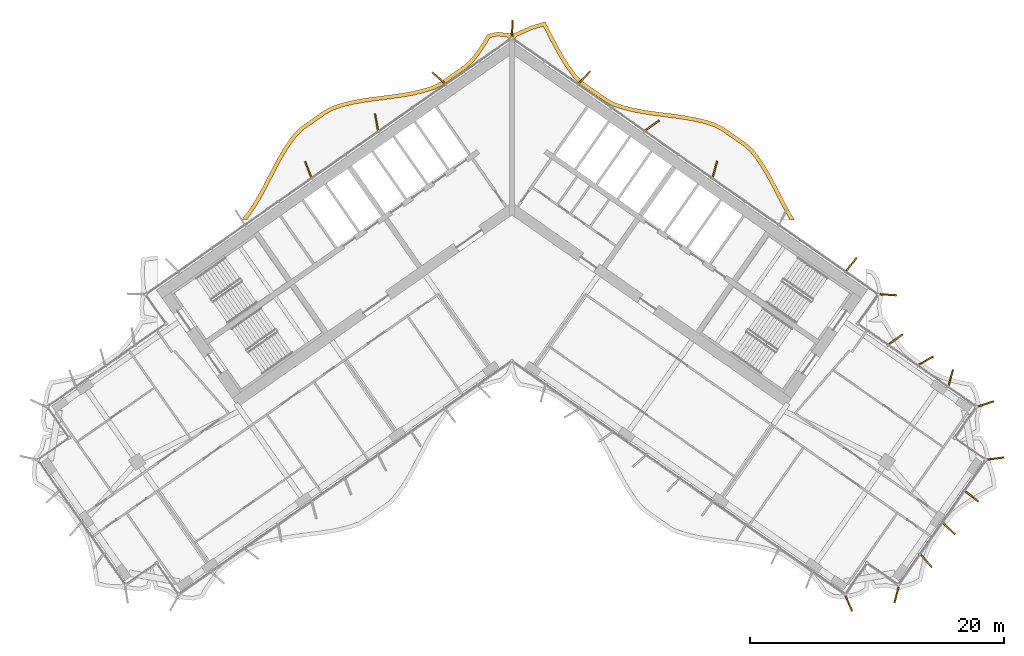
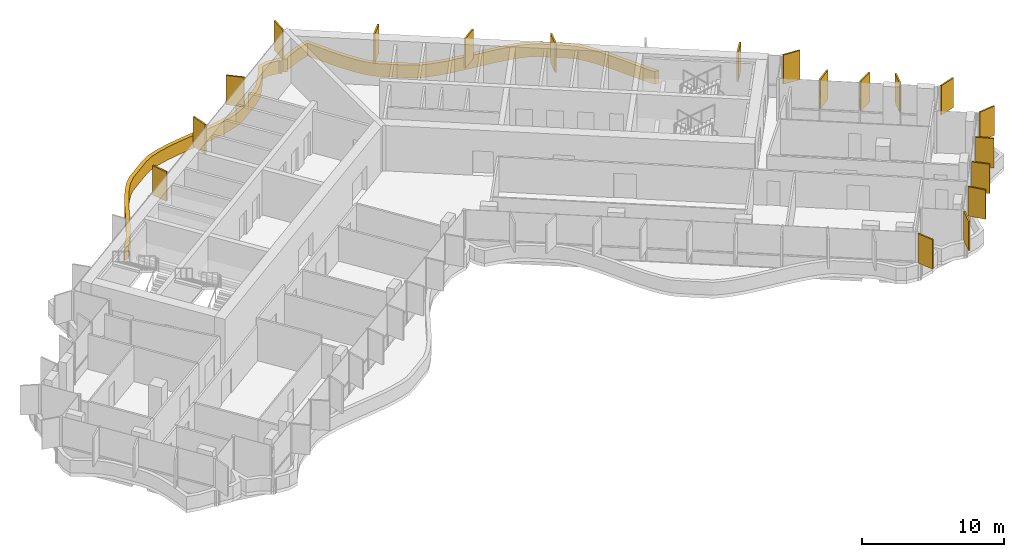
# One storey, part 23 of 23: 20 shading devices.
"""IFC4 building model written with IfcOpenShell, lengths in metres."""

from ifc_helpers import new_model, si_unit, direction, frame, origin, origin_2d, place, context, subcontext, project, spatial, polyline, rectangle, outline, extrude, material, layer, layer_set, type_object, element, save


model = new_model("IFC4")

# Units and contexts
model_context = context("Model", 3, precision=1e-05, world=origin(), true_north=direction((0.0, 1.0)))
body_context = subcontext(model_context, "Body", "Model", "MODEL_VIEW")
ifc_project = project(units=[si_unit("LENGTHUNIT", "METRE"), si_unit("AREAUNIT", "SQUARE_METRE"), si_unit("VOLUMEUNIT", "CUBIC_METRE"), si_unit("PLANEANGLEUNIT", "RADIAN"), si_unit("MASSUNIT", "GRAM", prefix="KILO")], contexts=[model_context])

# Site, building, storey
site_placement = place(None, origin())
site = spatial("IfcSite", under=ifc_project, at=site_placement, CompositionType="ELEMENT")
building_placement = place(site_placement, origin())
building = spatial("IfcBuilding", under=site, at=building_placement, Name="Tel Ilan Convention Tower", CompositionType="ELEMENT")
storey_placement = place(building_placement, frame((0.0, 0.0, 182.699951171875)))
storey = spatial("IfcBuildingStorey", under=building, at=storey_placement, Name="L42", CompositionType="ELEMENT", Elevation=182.699951171875)

# Shading devices
ifc_material_1 = material(Name="Aluminium, bronze anodised", Category="aluminium")
ifc_layer_1 = layer(ifc_material_1, 0.1201171875)
ifc_layer_set_1 = layer_set([ifc_layer_1], Name="FIN BRONZE 1300x120")
shading_device_type_1 = type_object("IfcShadingDeviceType", Name="FIN BRONZE 1300x120", PredefinedType="USERDEFINED", material=ifc_layer_set_1)
for number, where, z_axis, x_axis, name in (
    (1, (29.62109375, -7.500732421875, 1.10009765625), (0.0, 0.0, 1.0), (0.997697449973, -0.067821812994, 0.0), "FIN"),
    (2, (26.725830078125, -5.099853515625, 1.10009765625), (0.0, 0.0, 1.0), (0.612600545196, 0.790392669516, 0.0), "FIN"),
    (3, (15.981201171875, 2.39990234375, 1.10009765625), (0.0, 0.0, 1.0), (0.268172612768, 0.963370878614, 0.0), "FIN"),
    (4, (11.070556640625, 5.838623046875, 1.10009765625), (0.0, 0.0, 1.0), (0.813552070258, 0.581492071294, 0.0), "FIN"),
    (5, (5.716064453125, 9.61083984375, 1.10009765625), (0.0, 0.0, 1.0), (0.686241637865, 0.727373641577, 0.0), "FIN"),
    (6, (0.031494140625, 13.4697265625, 1.10009765625), (0.0, 0.0, 1.0), (0.048462378231, 0.998825008646, 0.0), "FIN"),
    (7, (-5.762939453125, 9.570068359375, 1.10009765625), (0.0, 0.0, 1.0), (-0.753435896329, 0.657521368568, 0.0), "FIN"),
    (8, (-10.65771484375, 6.10498046875, 1.10009765625), (0.0, 0.0, 1.0), (-0.173648177667, 0.984807753012, 0.0), "FIN"),
    (9, (-16.037841796875, 2.375732421875, 1.10009765625), (0.0, 0.0, 1.0), (-0.360177724803, 0.932883704733, 0.0), "FIN"),
    (10, (26.517578125, -31.80810546875, 1.10009765625), (0.0, 0.0, 1.0), (0.404964282034, -0.914332505315, 0.0), "FIN"),
    (11, (30.266357421875, -31.11572265625, 1.10009765625), (0.0, 0.0, 1.0), (-0.258819045103, -0.965925826289, 0.0), "FIN"),
    (12, (32.618408203125, -28.462646484375, 1.10009765625), (0.0, 0.0, 1.0), (0.657521368568, -0.753435896329, 0.0), "FIN"),
    (13, (34.408447265625, -25.917236328125, 1.10009765625), (0.0, 0.0, 1.0), (0.727373641577, -0.686241637865, 0.0), "FIN"),
    (14, (36.194091796875, -23.36767578125, 1.10009765625), (0.0, 0.0, 1.0), (0.790392669516, -0.612600545196, 0.0), "FIN"),
    (15, (38.074951171875, -20.387451171875, 1.10009765625), (0.0, 0.0, 1.0), (0.992066016082, 0.125718016748, 0.0), "FIN"),
    (16, (37.316162109375, -16.08544921875, 1.10009765625), (0.0, 0.0, 1.0), (0.949242643575, 0.314544756146, 0.0), "FIN"),
    (17, (34.5419921875, -14.0146484375, 1.10009765625), (0.0, 0.0, 1.0), (0.268172612768, 0.963370878614, 0.0), "FIN"),
    (18, (32.59912109375, -12.6767578125, 1.10009765625), (0.0, 0.0, 1.0), (0.866025403784, 0.5, 0.0), "FIN"),
    (19, (30.227294921875, -10.993408203125, 1.10009765625), (0.0, 0.0, 1.0), (0.813552070258, 0.581492071294, 0.0), "FIN"),
):
    element("IfcShadingDevice", number, at=place(storey_placement, frame(where, z_axis=z_axis, x_axis=x_axis)), inside=storey, type_object=shading_device_type_1, Name=name, ObjectType="FIN", PredefinedType="USERDEFINED", context=body_context, shape_type="SweptSolid", body=[
        extrude(rectangle(XDim=1.300048828125, YDim=0.1201171875, at=origin_2d()), origin(), (0.0, 0.0, 1.0), 2.52001953125),
    ])
ifc_material_2 = material(Name="Aluminium, bronze anodised", Category="aluminium")
ifc_layer_2 = layer(ifc_material_2, 0.300048828125)
ifc_layer_set_2 = layer_set([ifc_layer_2], Name="LOUVRE BAND 300x1100")
shading_device_type_2 = type_object("IfcShadingDeviceType", Name="LOUVRE BAND 300x1100", PredefinedType="USERDEFINED", material=ifc_layer_set_2)
shading_device_placement = place(storey_placement, origin())
element("IfcShadingDevice", 20, at=shading_device_placement, inside=storey, type_object=shading_device_type_2, Name="LOUVRE BAND 32.02", ObjectType="LOUVRE", PredefinedType="USERDEFINED", context=body_context, shape_type="SweptSolid", body=[
    extrude(outline(polyline([(-20.849609375, -1.0634765625), (-21.30126953125, -1.631591796875), (-20.91796875, -1.631591796875), (-20.607666015625, -1.2412109375), (-20.154052734375, -0.572265625), (-19.73291015625, 0.13330078125), (-19.335205078125, 0.86328125), (-18.57080078125, 2.342041015625), (-18.1845703125, 3.06298828125), (-17.78369140625, 3.75341796875), (-17.359619140625, 4.40185546875), (-16.911376953125, 4.99072265625), (-16.409912109375, 5.478515625), (-14.633056640625, 6.722412109375), (-14.02197265625, 7.05712890625), (-13.32763671875, 7.284912109375), (-12.58056640625, 7.4697265625), (-11.800048828125, 7.61669921875), (-10.994384765625, 7.73681640625), (-9.345458984375, 7.94873046875), (-8.521484375, 8.068603515625), (-7.710693359375, 8.216064453125), (-6.921875, 8.404296875), (-6.152587890625, 8.64794921875), (-5.447509765625, 9.00390625), (-3.604248046875, 10.29443359375), (-3.021484375, 10.82373046875), (-2.525634765625, 11.46142578125), (-2.076904296875, 12.135498046875), (-1.727783203125, 12.727294921875), (-1.12451171875, 12.861572265625), (-0.33935546875, 12.77978515625), (-0.24609375, 12.646728515625), (0.0, 12.818115234375), (0.24609375, 12.646728515625), (0.3701171875, 12.82373046875), (1.583984375, 13.365234375), (2.46484375, 13.628173828125), (3.115478515625, 12.37158203125), (3.5078125, 11.636474609375), (3.92041015625, 10.921630859375), (4.362548828125, 10.239501953125), (4.84716796875, 9.595947265625), (5.407958984375, 9.031494140625), (7.251220703125, 7.74072265625), (7.93212890625, 7.353759765625), (8.69921875, 7.09716796875), (9.48291015625, 6.89990234375), (10.2900390625, 6.745361328125), (11.112060546875, 6.621337890625), (12.762939453125, 6.408935546875), (13.572509765625, 6.29248046875), (14.3583984375, 6.15185546875), (15.11279296875, 5.97509765625), (15.819580078125, 5.75537109375), (16.44921875, 5.450927734375), (18.22607421875, 4.206787109375), (18.74951171875, 3.746826171875), (19.200927734375, 3.172607421875), (19.63037109375, 2.533447265625), (20.03515625, 1.850341796875), (20.423583984375, 1.13427734375), (21.186767578125, -0.3427734375), (21.5810546875, -1.075927734375), (21.906005859375, -1.631591796875), (22.25341796875, -1.631591796875), (21.8427734375, -0.928955078125), (21.4521484375, -0.202880859375), (20.688720703125, 1.27490234375), (20.296142578125, 1.998291015625), (19.884033203125, 2.69384765625), (19.44384765625, 3.34912109375), (18.96826171875, 3.9541015625), (18.41162109375, 4.443115234375), (16.6015625, 5.71044921875), (15.929931640625, 6.03515625), (15.191650390625, 6.2646484375), (14.419189453125, 6.44580078125), (13.6201171875, 6.588623046875), (12.80322265625, 6.7060546875), (11.15380859375, 6.91845703125), (10.340576171875, 7.041259765625), (9.547607421875, 7.19287109375), (8.783447265625, 7.385498046875), (8.054931640625, 7.62890625), (7.411865234375, 7.99462890625), (5.601806640625, 9.261962890625), (5.074462890625, 9.792724609375), (4.608642578125, 10.41162109375), (4.17626953125, 11.078369140625), (3.770263671875, 11.7822265625), (3.38134765625, 12.510986328125), (2.6162109375, 13.986328125), (1.4794921875, 13.647216796875), (0.168701171875, 13.059326171875), (0.11474609375, 13.09521484375), (0.0, 13.1181640625), (-0.11474609375, 13.09521484375), (-0.168701171875, 13.059326171875), (-1.14208984375, 13.1650390625), (-1.919921875, 12.991943359375), (-2.3310546875, 12.294921875), (-2.769287109375, 11.63671875), (-3.242431640625, 11.0283203125), (-3.7919921875, 10.529296875), (-5.601806640625, 9.261962890625), (-6.26611328125, 8.926513671875), (-7.002197265625, 8.693603515625), (-7.7724609375, 8.509765625), (-8.570068359375, 8.36474609375), (-9.385986328125, 8.24609375), (-11.03564453125, 8.033935546875), (-11.849853515625, 7.91259765625), (-12.644287109375, 7.76318359375), (-13.41064453125, 7.573486328125), (-14.141845703125, 7.33349609375), (-14.791748046875, 6.977783203125), (-16.6015625, 5.71044921875), (-17.136474609375, 5.1904296875), (-17.604736328125, 4.574951171875), (-18.0390625, 3.9111328125), (-18.44677734375, 3.209228515625), (-18.83642578125, 2.481689453125), (-19.60009765625, 1.004150390625), (-19.993408203125, 0.281982421875), (-20.4072265625, -0.4111328125), (-20.849609375, -1.0634765625)])), origin(), (0.0, 0.0, 1.0), 1.10009765625),
])

save(model, "model.ifc")
